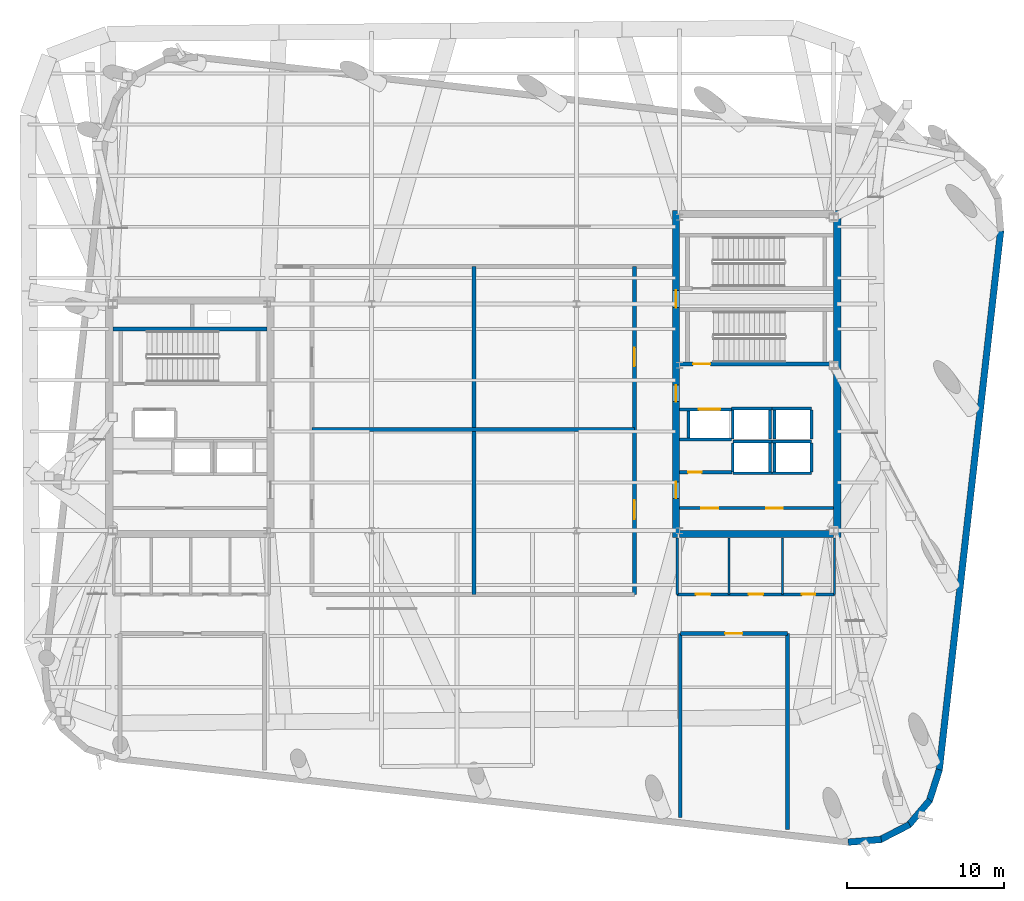
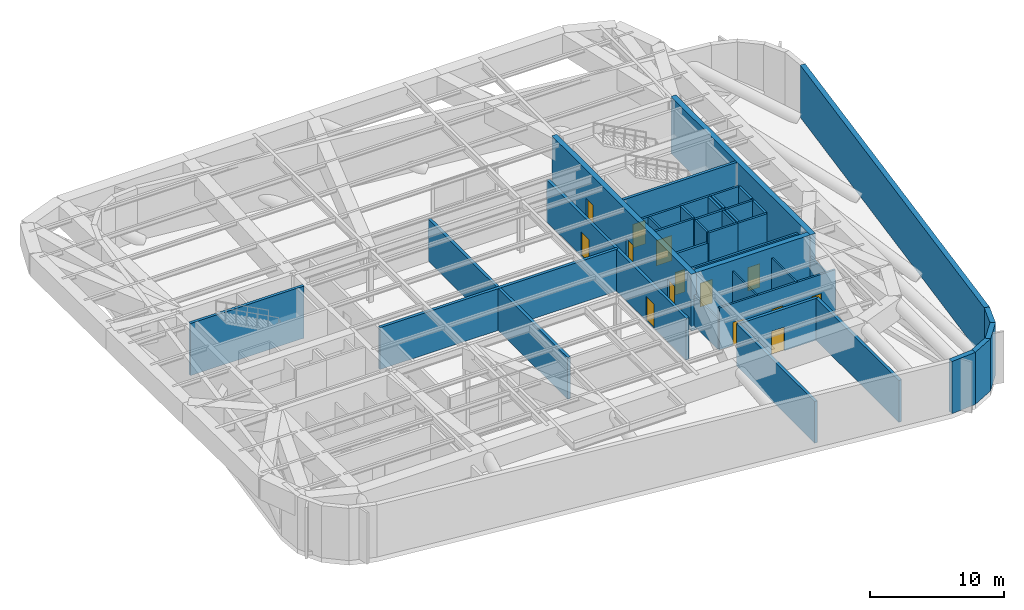
# One storey, part 8 of 12: 40 walls, 14 doors, 14 openings.
"""IFC4 building model written with IfcOpenShell, lengths in metres."""

from ifc_helpers import new_model, si_unit, direction, frame, frame_2d, origin, place, context, subcontext, project, spatial, rectangle, extrude, material, layer, layer_set, type_object, element, fill, save


model = new_model("IFC4")

# Units and contexts
model_context = context("Model", 3, precision=1e-05, world=origin(), true_north=direction((0.0, 1.0)))
body_context = subcontext(model_context, "Body", "Model", "MODEL_VIEW")
ifc_project = project(units=[si_unit("LENGTHUNIT", "METRE"), si_unit("AREAUNIT", "SQUARE_METRE"), si_unit("VOLUMEUNIT", "CUBIC_METRE"), si_unit("PLANEANGLEUNIT", "RADIAN"), si_unit("MASSUNIT", "GRAM", prefix="KILO")], contexts=[model_context])

# Site, building, storey
site_placement = place(None, origin())
site = spatial("IfcSite", under=ifc_project, at=site_placement, CompositionType="ELEMENT")
building_placement = place(site_placement, origin())
building = spatial("IfcBuilding", under=site, at=building_placement, Name="Kolvaren Arena Tower", CompositionType="ELEMENT")
storey_placement = place(building_placement, frame((0.0, 0.0, 269.699951171875)))
storey = spatial("IfcBuildingStorey", under=building, at=storey_placement, Name="L66", CompositionType="ELEMENT", Elevation=269.699951171875)

# Wall, openings, doors
ifc_material_1 = material(Name="Concrete 55 MPa", Category="concrete")
ifc_layer_1 = layer(ifc_material_1, 0.449951171875)
ifc_layer_set_1 = layer_set([ifc_layer_1], Name="Concrete 55 MPa")
wall_type_1 = type_object("IfcWallType", Name="CWALL-450", PredefinedType="SHEAR", material=ifc_layer_set_1)
wall_1_placement = place(storey_placement, frame((50.324951171875, 19.0, -0.419921875), z_axis=(0.0, 0.0, 1.0), x_axis=(0.0, 1.0, 0.0)))
wall_1 = element("IfcWall", 1, at=wall_1_placement, inside=storey, type_object=wall_type_1, Name="Core Shear Wall EC-WEST (L66)", PredefinedType="SHEAR", context=body_context, shape_type="SweptSolid", body=[
    extrude(rectangle(XDim=20.800048828125, YDim=0.449951171875, at=frame_2d((10.39990234375, 0.0))), origin(), (0.0, 0.0, 1.0), 5.169921875),
])
opening_1_placement = place(wall_1_placement, frame((2.5, 0.0, 0.419921875)))
opening_1 = element("IfcOpeningElement", 2, at=opening_1_placement, cuts=wall_1, Name="Opening D04", PredefinedType="OPENING", context=body_context, shape_type="SweptSolid", body=[
    extrude(rectangle(XDim=1.050048828125, YDim=2.14990234375, at=frame_2d((0.52490234375, 1.074951171875))), frame((0.0, 0.23486328125, 0.0), z_axis=(0.0, -1.0, 0.0), x_axis=(1.0, 0.0, 0.0)), (0.0, 0.0, 1.0), 0.469970703125),
])
opening_2_placement = place(wall_1_placement, frame((8.64990234375, 0.0, 0.419921875)))
opening_2 = element("IfcOpeningElement", 3, at=opening_2_placement, cuts=wall_1, Name="Opening D04", PredefinedType="OPENING", context=body_context, shape_type="SweptSolid", body=[
    extrude(rectangle(XDim=1.050048828125, YDim=2.14990234375, at=frame_2d((0.52490234375, 1.074951171875))), frame((0.0, 0.23486328125, 0.0), z_axis=(0.0, -1.0, 0.0), x_axis=(1.0, 0.0, 0.0)), (0.0, 0.0, 1.0), 0.469970703125),
])
opening_3_placement = place(wall_1_placement, frame((14.6201171875, 0.0, 0.419921875)))
opening_3 = element("IfcOpeningElement", 4, at=opening_3_placement, cuts=wall_1, Name="Opening D03", PredefinedType="OPENING", context=body_context, shape_type="SweptSolid", body=[
    extrude(rectangle(XDim=1.10009765625, YDim=2.14990234375, at=frame_2d((0.550048828125, 1.074951171875))), frame((0.0, 0.23486328125, 0.0), z_axis=(0.0, -1.0, 0.0), x_axis=(1.0, 0.0, 0.0)), (0.0, 0.0, 1.0), 0.469970703125),
])
ifc_material_2 = material(Name="Fire-rated steel lobby door", Category="steel")
door_type_1 = type_object("IfcDoorType", Name="DOOR-FF-105", OperationType="NOTDEFINED", PredefinedType="DOOR", material=ifc_material_2)
door_1_placement = place(opening_1_placement, origin())
door_1 = element("IfcDoor", 5, at=door_1_placement, inside=storey, type_object=door_type_1, Name="East Lift Lobby Fire Door (L66)", OperationType="SINGLE_SWING_RIGHT", OverallHeight=2.14990234375, OverallWidth=1.050048828125, PredefinedType="DOOR", context=body_context, shape_type="SweptSolid", body=[
    extrude(rectangle(XDim=1.050048828125, YDim=2.14990234375, at=frame_2d((0.52490234375, 1.074951171875))), frame((0.0, 0.02490234375, 0.0), z_axis=(0.0, -1.0, 0.0), x_axis=(1.0, 0.0, 0.0)), (0.0, 0.0, 1.0), 0.050048828125),
])
fill(opening_1, door_1)
door_2_placement = place(opening_2_placement, origin())
door_2 = element("IfcDoor", 6, at=door_2_placement, inside=storey, type_object=door_type_1, Name="East Firefighter Vestibule Door (L66)", OperationType="SINGLE_SWING_LEFT", OverallHeight=2.14990234375, OverallWidth=1.050048828125, PredefinedType="DOOR", context=body_context, shape_type="SweptSolid", body=[
    extrude(rectangle(XDim=1.050048828125, YDim=2.14990234375, at=frame_2d((0.52490234375, 1.074951171875))), frame((0.0, 0.02490234375, 0.0), z_axis=(0.0, -1.0, 0.0), x_axis=(1.0, 0.0, 0.0)), (0.0, 0.0, 1.0), 0.050048828125),
])
fill(opening_2, door_2)
ifc_material_3 = material(Name="Fire-rated steel exit stair door", Category="steel")
door_type_2 = type_object("IfcDoorType", Name="DOOR-ST-110", OperationType="NOTDEFINED", PredefinedType="DOOR", material=ifc_material_3)
door_3_placement = place(opening_3_placement, origin())
door_3 = element("IfcDoor", 7, at=door_3_placement, inside=storey, type_object=door_type_2, Name="Stair ST-E2 Vestibule Fire Door (L66)", OperationType="SINGLE_SWING_LEFT", OverallHeight=2.14990234375, OverallWidth=1.10009765625, PredefinedType="DOOR", context=body_context, shape_type="SweptSolid", body=[
    extrude(rectangle(XDim=1.10009765625, YDim=2.14990234375, at=frame_2d((0.550048828125, 1.074951171875))), frame((0.0, 0.02490234375, 0.0), z_axis=(0.0, -1.0, 0.0), x_axis=(1.0, 0.0, 0.0)), (0.0, 0.0, 1.0), 0.050048828125),
])
fill(opening_3, door_3)

# Walls
wall_2_placement = place(storey_placement, frame((60.574951171875, 19.0, -0.419921875), z_axis=(0.0, 0.0, 1.0), x_axis=(0.0, 1.0, 0.0)))
element("IfcWall", 8, at=wall_2_placement, inside=storey, type_object=wall_type_1, Name="Core Shear Wall EC-EAST (L66)", PredefinedType="SHEAR", context=body_context, shape_type="SweptSolid", body=[
    extrude(rectangle(XDim=20.800048828125, YDim=0.449951171875, at=frame_2d((10.39990234375, 0.0))), origin(), (0.0, 0.0, 1.0), 5.169921875),
])
wall_3_placement = place(storey_placement, frame((50.550048828125, 19.22509765625, -0.419921875), z_axis=(0.0, 0.0, 1.0), x_axis=(1.0, 0.0, 0.0)))
element("IfcWall", 9, at=wall_3_placement, inside=storey, type_object=wall_type_1, Name="Core Shear Wall EC-SOUTH (L66)", PredefinedType="SHEAR", context=body_context, shape_type="SweptSolid", body=[
    extrude(rectangle(XDim=9.800048828125, YDim=0.449951171875, at=frame_2d((4.89990234375, 0.0))), origin(), (0.0, 0.0, 1.0), 5.169921875),
])
ifc_material_4 = material(Name="Precast concrete C50/60", Category="concrete")
ifc_layer_2 = layer(ifc_material_4, 0.419921875)
ifc_layer_set_2 = layer_set([ifc_layer_2], Name="Precast concrete C50/60")
wall_type_2 = type_object("IfcWallType", Name="EXT-PIER1", PredefinedType="SOLIDWALL", material=ifc_layer_set_2)
wall_4_placement = place(storey_placement, frame((63.367919921875, -0.169677734375, 0.0), z_axis=(0.0, 0.0, 1.0), x_axis=(-0.996572077737, -0.082729038891, 0.0)))
element("IfcWall", 10, at=wall_4_placement, inside=storey, type_object=wall_type_2, Name="Exterior Precast Masonry-Frame Wall (L66)", PredefinedType="SOLIDWALL", context=body_context, shape_type="SweptSolid", body=[
    extrude(rectangle(XDim=2.107177734375, YDim=0.419921875, at=frame_2d((1.0537109375, 0.0))), origin(), (0.0, 0.0, 1.0), 4.75),
])
for number, where, z_axis, x_axis, name in (
    (11, (65.162109375, 0.7724609375, 0.0), (0.0, 0.0, 1.0), (-0.889033162007, -0.457842808015, 0.0), "Exterior Precast Masonry-Frame Wall (L66)"),
    (12, (66.45947265625, 2.32958984375, 0.0), (0.0, 0.0, 1.0), (-0.646103249464, -0.763250018691, 0.0), "Exterior Precast Masonry-Frame Wall (L66)"),
    (13, (67.06201171875, 4.2646484375, 0.0), (0.0, 0.0, 1.0), (-0.304767317723, -0.95242683816, 0.0), "Exterior Precast Masonry-Frame Wall (L66)"),
):
    element("IfcWall", number, at=place(storey_placement, frame(where, z_axis=z_axis, x_axis=x_axis)), inside=storey, type_object=wall_type_2, Name=name, PredefinedType="SOLIDWALL", context=body_context, shape_type="SweptSolid", body=[
        extrude(rectangle(XDim=2.10693359375, YDim=0.419921875, at=frame_2d((1.053466796875, 0.0))), origin(), (0.0, 0.0, 1.0), 4.75),
    ])
wall_5_placement = place(storey_placement, frame((70.958984375, 38.502685546875, 0.0), z_axis=(0.0, 0.0, 1.0), x_axis=(-0.113203107947, -0.993571867733, 0.0)))
element("IfcWall", 14, at=wall_5_placement, inside=storey, type_object=wall_type_2, Name="Exterior Precast Masonry-Frame Wall (L66)", PredefinedType="SOLIDWALL", context=body_context, shape_type="SweptSolid", body=[
    extrude(rectangle(XDim=34.5, YDim=0.419921875, at=frame_2d((17.25, 0.0))), origin(), (0.0, 0.0, 1.0), 4.75),
])

# Wall, openings, doors
ifc_material_5 = material(Name="Concrete 40 MPa", Category="concrete")
ifc_layer_3 = layer(ifc_material_5, 0.199951171875)
ifc_layer_set_3 = layer_set([ifc_layer_3], Name="Concrete 40 MPa")
wall_type_3 = type_object("IfcWallType", Name="LOBBY-200", PredefinedType="SOLIDWALL", material=ifc_layer_set_3)
wall_6_placement = place(storey_placement, frame((50.550048828125, 20.8798828125, 0.0), z_axis=(0.0, 0.0, 1.0), x_axis=(1.0, 0.0, 0.0)))
wall_6 = element("IfcWall", 15, at=wall_6_placement, inside=storey, type_object=wall_type_3, Name="Core Shaft Wall (L66)", PredefinedType="SOLIDWALL", context=body_context, shape_type="SweptSolid", body=[
    extrude(rectangle(XDim=9.800048828125, YDim=0.199951171875, at=frame_2d((4.89990234375, 0.0))), origin(), (0.0, 0.0, 1.0), 3.81005859375),
])
opening_4_placement = place(wall_6_placement, frame((1.39990234375, 0.0, 0.0)))
opening_4 = element("IfcOpeningElement", 16, at=opening_4_placement, cuts=wall_6, Name="Opening D04", PredefinedType="OPENING", context=body_context, shape_type="SweptSolid", body=[
    extrude(rectangle(XDim=1.050048828125, YDim=2.14990234375, at=frame_2d((0.52490234375, 1.074951171875))), frame((0.0, 0.10986328125, 0.0), z_axis=(0.0, -1.0, 0.0), x_axis=(1.0, 0.0, 0.0)), (0.0, 0.0, 1.0), 0.219970703125),
])
opening_5_placement = place(wall_6_placement, frame((5.5, 0.0, 0.0)))
opening_5 = element("IfcOpeningElement", 17, at=opening_5_placement, cuts=wall_6, Name="Opening D04", PredefinedType="OPENING", context=body_context, shape_type="SweptSolid", body=[
    extrude(rectangle(XDim=1.050048828125, YDim=2.14990234375, at=frame_2d((0.52490234375, 1.074951171875))), frame((0.0, 0.10986328125, 0.0), z_axis=(0.0, -1.0, 0.0), x_axis=(1.0, 0.0, 0.0)), (0.0, 0.0, 1.0), 0.219970703125),
])
door_4_placement = place(opening_4_placement, origin())
door_4 = element("IfcDoor", 18, at=door_4_placement, inside=storey, type_object=door_type_1, Name="East Telecom Room Fire Door (L66)", OperationType="SINGLE_SWING_RIGHT", OverallHeight=2.14990234375, OverallWidth=1.050048828125, PredefinedType="DOOR", context=body_context, shape_type="SweptSolid", body=[
    extrude(rectangle(XDim=1.050048828125, YDim=2.14990234375, at=frame_2d((0.52490234375, 1.074951171875))), frame((0.0, 0.02490234375, 0.0), z_axis=(0.0, -1.0, 0.0), x_axis=(1.0, 0.0, 0.0)), (0.0, 0.0, 1.0), 0.050048828125),
])
fill(opening_4, door_4)
door_5_placement = place(opening_5_placement, origin())
door_5 = element("IfcDoor", 19, at=door_5_placement, inside=storey, type_object=door_type_1, Name="East Records Room Fire Door (L66)", OperationType="SINGLE_SWING_LEFT", OverallHeight=2.14990234375, OverallWidth=1.050048828125, PredefinedType="DOOR", context=body_context, shape_type="SweptSolid", body=[
    extrude(rectangle(XDim=1.050048828125, YDim=2.14990234375, at=frame_2d((0.52490234375, 1.074951171875))), frame((0.0, 0.02490234375, 0.0), z_axis=(0.0, -1.0, 0.0), x_axis=(1.0, 0.0, 0.0)), (0.0, 0.0, 1.0), 0.050048828125),
])
fill(opening_5, door_5)

# Wall, opening, door
wall_7_placement = place(storey_placement, frame((50.550048828125, 23.159912109375, 0.0), z_axis=(0.0, 0.0, 1.0), x_axis=(1.0, 0.0, 0.0)))
wall_7 = element("IfcWall", 20, at=wall_7_placement, inside=storey, type_object=wall_type_3, Name="Core Shaft Wall (L66)", PredefinedType="SOLIDWALL", context=body_context, shape_type="SweptSolid", body=[
    extrude(rectangle(XDim=3.329833984375, YDim=0.199951171875, at=frame_2d((1.6650390625, 0.0))), origin(), (0.0, 0.0, 1.0), 3.81005859375),
])
opening_6_placement = place(wall_7_placement, frame((0.550048828125, 0.0, 0.0)))
opening_6 = element("IfcOpeningElement", 21, at=opening_6_placement, cuts=wall_7, Name="Opening D09", PredefinedType="OPENING", context=body_context, shape_type="SweptSolid", body=[
    extrude(rectangle(XDim=0.860107421875, YDim=2.050048828125, at=frame_2d((0.43017578125, 1.02490234375))), frame((0.0, 0.10986328125, 0.0), z_axis=(0.0, -1.0, 0.0), x_axis=(1.0, 0.0, 0.0)), (0.0, 0.0, 1.0), 0.219970703125),
])
ifc_material_6 = material(Name="Fire-rated steel riser access door", Category="steel")
door_type_3 = type_object("IfcDoorType", Name="DOOR-RS-086", OperationType="NOTDEFINED", PredefinedType="DOOR", material=ifc_material_6)
door_6_placement = place(opening_6_placement, origin())
door_6 = element("IfcDoor", 22, at=door_6_placement, inside=storey, type_object=door_type_3, Name="East AV Riser Closet Door (L66)", OperationType="SINGLE_SWING_LEFT", OverallHeight=2.050048828125, OverallWidth=0.860107421875, PredefinedType="DOOR", context=body_context, shape_type="SweptSolid", body=[
    extrude(rectangle(XDim=0.860107421875, YDim=2.050048828125, at=frame_2d((0.43017578125, 1.02490234375))), frame((0.0, 0.02490234375, 0.0), z_axis=(0.0, -1.0, 0.0), x_axis=(1.0, 0.0, 0.0)), (0.0, 0.0, 1.0), 0.050048828125),
])
fill(opening_6, door_6)

# Wall
ifc_material_7 = material(Name="Concrete 45 MPa", Category="concrete")
ifc_layer_4 = layer(ifc_material_7, 0.25)
ifc_layer_set_4 = layer_set([ifc_layer_4], Name="Concrete 45 MPa")
wall_type_4 = type_object("IfcWallType", Name="SHAFT-250", PredefinedType="SOLIDWALL", material=ifc_layer_set_4)
wall_8_placement = place(storey_placement, frame((14.550048828125, 32.25, 0.0), z_axis=(0.0, 0.0, 1.0), x_axis=(1.0, 0.0, 0.0)))
element("IfcWall", 23, at=wall_8_placement, inside=storey, type_object=wall_type_4, Name="Core Shaft Wall (L66)", PredefinedType="SOLIDWALL", context=body_context, shape_type="SweptSolid", body=[
    extrude(rectangle(XDim=9.800048828125, YDim=0.239990234375, at=frame_2d((4.89990234375, 0.0))), origin(), (0.0, 0.0, 1.0), 4.75),
])

# Wall, opening, door
wall_9_placement = place(storey_placement, frame((60.35009765625, 30.030029296875, 0.0), z_axis=(0.0, 0.0, 1.0), x_axis=(-1.0, 0.0, 0.0)))
wall_9 = element("IfcWall", 24, at=wall_9_placement, inside=storey, type_object=wall_type_4, Name="Core Shaft Wall (L66)", PredefinedType="SOLIDWALL", context=body_context, shape_type="SweptSolid", body=[
    extrude(rectangle(XDim=9.800048828125, YDim=0.239990234375, at=frame_2d((4.89990234375, 0.0))), origin(), (0.0, 0.0, 1.0), 4.75),
])
opening_7_placement = place(wall_9_placement, frame((7.830078125, 0.0, 0.0)))
opening_7 = element("IfcOpeningElement", 25, at=opening_7_placement, cuts=wall_9, Name="Opening D03", PredefinedType="OPENING", context=body_context, shape_type="SweptSolid", body=[
    extrude(rectangle(XDim=1.10009765625, YDim=2.14990234375, at=frame_2d((0.550048828125, 1.074951171875))), frame((0.0, 0.1298828125, 0.0), z_axis=(0.0, -1.0, 0.0), x_axis=(1.0, 0.0, 0.0)), (0.0, 0.0, 1.0), 0.260009765625),
])
door_7_placement = place(opening_7_placement, origin())
door_7 = element("IfcDoor", 26, at=door_7_placement, inside=storey, type_object=door_type_2, Name="Stair ST-E1 Fire Door (L66)", OperationType="SINGLE_SWING_LEFT", OverallHeight=2.14990234375, OverallWidth=1.10009765625, PredefinedType="DOOR", context=body_context, shape_type="SweptSolid", body=[
    extrude(rectangle(XDim=1.10009765625, YDim=2.14990234375, at=frame_2d((0.550048828125, 1.074951171875))), frame((0.0, 0.02490234375, 0.0), z_axis=(0.0, -1.0, 0.0), x_axis=(1.0, 0.0, 0.0)), (0.0, 0.0, 1.0), 0.050048828125),
])
fill(opening_7, door_7)

# Walls
for number, where, z_axis, x_axis, name in (
    (27, (53.93994140625, 25.10498046875, 0.0), (0.0, 0.0, 1.0), (1.0, 0.0, 0.0), "Core Shaft Wall (L66)"),
    (28, (53.93994140625, 23.094970703125, 0.0), (0.0, 0.0, 1.0), (1.0, 0.0, 0.0), "Core Shaft Wall (L66)"),
):
    element("IfcWall", number, at=place(storey_placement, frame(where, z_axis=z_axis, x_axis=x_axis)), inside=storey, type_object=wall_type_4, Name=name, PredefinedType="SOLIDWALL", context=body_context, shape_type="SweptSolid", body=[
        extrude(rectangle(XDim=2.5, YDim=0.179931640625, at=frame_2d((1.25, 0.0))), origin(), (0.0, 0.0, 1.0), 4.75),
    ])
for number, where, z_axis, x_axis, name in (
    (29, (53.93994140625, 23.18505859375, 0.0), (0.0, 0.0, 1.0), (0.0, 1.0, 0.0), "Core Shaft Wall (L66)"),
    (30, (56.300048828125, 23.18505859375, 0.0), (0.0, 0.0, 1.0), (0.0, 1.0, 0.0), "Core Shaft Wall (L66)"),
):
    element("IfcWall", number, at=place(storey_placement, frame(where, z_axis=z_axis, x_axis=x_axis)), inside=storey, type_object=wall_type_4, Name=name, PredefinedType="SOLIDWALL", context=body_context, shape_type="SweptSolid", body=[
        extrude(rectangle(XDim=1.829833984375, YDim=0.179931640625, at=frame_2d((0.9150390625, 0.0))), origin(), (0.0, 0.0, 1.0), 4.75),
    ])
for number, where, z_axis, x_axis, name in (
    (31, (56.43994140625, 25.10498046875, 0.0), (0.0, 0.0, 1.0), (1.0, 0.0, 0.0), "Core Shaft Wall (L66)"),
    (32, (56.43994140625, 23.094970703125, 0.0), (0.0, 0.0, 1.0), (1.0, 0.0, 0.0), "Core Shaft Wall (L66)"),
):
    element("IfcWall", number, at=place(storey_placement, frame(where, z_axis=z_axis, x_axis=x_axis)), inside=storey, type_object=wall_type_4, Name=name, PredefinedType="SOLIDWALL", context=body_context, shape_type="SweptSolid", body=[
        extrude(rectangle(XDim=2.5, YDim=0.179931640625, at=frame_2d((1.25, 0.0))), origin(), (0.0, 0.0, 1.0), 4.75),
    ])
for number, where, z_axis, x_axis, name in (
    (33, (56.580078125, 23.18505859375, 0.0), (0.0, 0.0, 1.0), (0.0, 1.0, 0.0), "Core Shaft Wall (L66)"),
    (34, (58.93994140625, 23.18505859375, 0.0), (0.0, 0.0, 1.0), (0.0, 1.0, 0.0), "Core Shaft Wall (L66)"),
):
    element("IfcWall", number, at=place(storey_placement, frame(where, z_axis=z_axis, x_axis=x_axis)), inside=storey, type_object=wall_type_4, Name=name, PredefinedType="SOLIDWALL", context=body_context, shape_type="SweptSolid", body=[
        extrude(rectangle(XDim=1.829833984375, YDim=0.179931640625, at=frame_2d((0.9150390625, 0.0))), origin(), (0.0, 0.0, 1.0), 4.75),
    ])
wall_10_placement = place(storey_placement, frame((53.864990234375, 27.205078125, 0.0), z_axis=(0.0, 0.0, 1.0), x_axis=(1.0, 0.0, 0.0)))
element("IfcWall", 35, at=wall_10_placement, inside=storey, type_object=wall_type_4, Name="Core Shaft Wall (L66)", PredefinedType="SOLIDWALL", context=body_context, shape_type="SweptSolid", body=[
    extrude(rectangle(XDim=2.574951171875, YDim=0.179931640625, at=frame_2d((1.28759765625, 0.0))), origin(), (0.0, 0.0, 1.0), 4.75),
])
for number, where, z_axis, x_axis, name in (
    (36, (53.93994140625, 25.284912109375, 0.0), (0.0, 0.0, 1.0), (0.0, 1.0, 0.0), "Core Shaft Wall (L66)"),
    (37, (56.300048828125, 25.284912109375, 0.0), (0.0, 0.0, 1.0), (0.0, 1.0, 0.0), "Core Shaft Wall (L66)"),
):
    element("IfcWall", number, at=place(storey_placement, frame(where, z_axis=z_axis, x_axis=x_axis)), inside=storey, type_object=wall_type_4, Name=name, PredefinedType="SOLIDWALL", context=body_context, shape_type="SweptSolid", body=[
        extrude(rectangle(XDim=1.830078125, YDim=0.179931640625, at=frame_2d((0.9150390625, 0.0))), origin(), (0.0, 0.0, 1.0), 4.75),
    ])
wall_11_placement = place(storey_placement, frame((56.43994140625, 27.205078125, 0.0), z_axis=(0.0, 0.0, 1.0), x_axis=(1.0, 0.0, 0.0)))
element("IfcWall", 38, at=wall_11_placement, inside=storey, type_object=wall_type_4, Name="Core Shaft Wall (L66)", PredefinedType="SOLIDWALL", context=body_context, shape_type="SweptSolid", body=[
    extrude(rectangle(XDim=2.5, YDim=0.179931640625, at=frame_2d((1.25, 0.0))), origin(), (0.0, 0.0, 1.0), 4.75),
])
for number, where, z_axis, x_axis, name in (
    (39, (56.580078125, 25.284912109375, 0.0), (0.0, 0.0, 1.0), (0.0, 1.0, 0.0), "Core Shaft Wall (L66)"),
    (40, (58.93994140625, 25.284912109375, 0.0), (0.0, 0.0, 1.0), (0.0, 1.0, 0.0), "Core Shaft Wall (L66)"),
):
    element("IfcWall", number, at=place(storey_placement, frame(where, z_axis=z_axis, x_axis=x_axis)), inside=storey, type_object=wall_type_4, Name=name, PredefinedType="SOLIDWALL", context=body_context, shape_type="SweptSolid", body=[
        extrude(rectangle(XDim=1.830078125, YDim=0.179931640625, at=frame_2d((0.9150390625, 0.0))), origin(), (0.0, 0.0, 1.0), 4.75),
    ])

# Wall, opening, door
wall_12_placement = place(storey_placement, frame((50.550048828125, 27.155029296875, 0.0), z_axis=(0.0, 0.0, 1.0), x_axis=(1.0, 0.0, 0.0)))
wall_12 = element("IfcWall", 41, at=wall_12_placement, inside=storey, type_object=wall_type_4, Name="Core Shaft Wall (L66)", PredefinedType="SOLIDWALL", context=body_context, shape_type="SweptSolid", body=[
    extrude(rectangle(XDim=3.31494140625, YDim=0.179931640625, at=frame_2d((1.657470703125, 0.0))), origin(), (0.0, 0.0, 1.0), 4.75),
])
opening_8_placement = place(wall_12_placement, frame((1.235107421875, 0.0, 0.0)))
opening_8 = element("IfcOpeningElement", 42, at=opening_8_placement, cuts=wall_12, Name="Opening LD2", PredefinedType="OPENING", context=body_context, shape_type="SweptSolid", body=[
    extrude(rectangle(XDim=1.35009765625, YDim=2.300048828125, at=frame_2d((0.675048828125, 1.14990234375))), frame((0.0, 0.099853515625, 0.0), z_axis=(0.0, -1.0, 0.0), x_axis=(1.0, 0.0, 0.0)), (0.0, 0.0, 1.0), 0.199951171875),
])
ifc_material_8 = material(Name="Stainless steel firefighter lift landing door", Category="steel")
door_type_4 = type_object("IfcDoorType", Name="DOOR-LD-135", OperationType="DOUBLE_DOOR_SLIDING", PredefinedType="DOOR", material=ifc_material_8)
door_8_placement = place(opening_8_placement, origin())
door_8 = element("IfcDoor", 43, at=door_8_placement, inside=storey, type_object=door_type_4, Name="Firefighter Lift FF-E1 Landing Door (L66)", OperationType="DOUBLE_DOOR_SLIDING", OverallHeight=2.300048828125, OverallWidth=1.35009765625, PredefinedType="DOOR", context=body_context, shape_type="SweptSolid", body=[
    extrude(rectangle(XDim=1.35009765625, YDim=2.300048828125, at=frame_2d((0.675048828125, 1.14990234375))), frame((0.0, 0.02490234375, 0.0), z_axis=(0.0, -1.0, 0.0), x_axis=(1.0, 0.0, 0.0)), (0.0, 0.0, 1.0), 0.050048828125),
])
fill(opening_8, door_8)

# Walls
wall_13_placement = place(storey_placement, frame((50.550048828125, 25.2451171875, 0.0), z_axis=(0.0, 0.0, 1.0), x_axis=(1.0, 0.0, 0.0)))
element("IfcWall", 44, at=wall_13_placement, inside=storey, type_object=wall_type_4, Name="Core Shaft Wall (L66)", PredefinedType="SOLIDWALL", context=body_context, shape_type="SweptSolid", body=[
    extrude(rectangle(XDim=3.31494140625, YDim=0.179931640625, at=frame_2d((1.657470703125, 0.0))), origin(), (0.0, 0.0, 1.0), 4.75),
])
wall_14_placement = place(storey_placement, frame((51.1298828125, 25.3349609375, 0.0), z_axis=(0.0, 0.0, 1.0), x_axis=(0.0, 1.0, 0.0)))
element("IfcWall", 45, at=wall_14_placement, inside=storey, type_object=wall_type_4, Name="Core Shaft Wall (L66)", PredefinedType="SOLIDWALL", context=body_context, shape_type="SweptSolid", body=[
    extrude(rectangle(XDim=1.72998046875, YDim=0.179931640625, at=frame_2d((0.864990234375, 0.0))), origin(), (0.0, 0.0, 1.0), 4.75),
])

# Wall, openings, doors
wall_15_placement = place(storey_placement, frame((50.39990234375, 15.39990234375, 0.0), z_axis=(0.0, 0.0, 1.0), x_axis=(1.0, 0.0, 0.0)))
wall_15 = element("IfcWall", 46, at=wall_15_placement, inside=storey, type_object=wall_type_4, Name="Interior Partition Wall (L66)", PredefinedType="SOLIDWALL", context=body_context, shape_type="SweptSolid", body=[
    extrude(rectangle(XDim=10.0, YDim=0.179931640625, at=frame_2d((5.0, 0.0))), origin(), (0.0, 0.0, 1.0), 3.81005859375),
])
opening_9_placement = place(wall_15_placement, frame((1.18994140625, 0.0, 0.0)))
opening_9 = element("IfcOpeningElement", 47, at=opening_9_placement, cuts=wall_15, Name="Opening D07", PredefinedType="OPENING", context=body_context, shape_type="SweptSolid", body=[
    extrude(rectangle(XDim=0.919921875, YDim=2.10009765625, at=frame_2d((0.4599609375, 1.050048828125))), frame((0.0, 0.099853515625, 0.0), z_axis=(0.0, -1.0, 0.0), x_axis=(1.0, 0.0, 0.0)), (0.0, 0.0, 1.0), 0.199951171875),
])
opening_10_placement = place(wall_15_placement, frame((4.5400390625, 0.0, 0.0)))
opening_10 = element("IfcOpeningElement", 48, at=opening_10_placement, cuts=wall_15, Name="Opening D07", PredefinedType="OPENING", context=body_context, shape_type="SweptSolid", body=[
    extrude(rectangle(XDim=0.919921875, YDim=2.10009765625, at=frame_2d((0.4599609375, 1.050048828125))), frame((0.0, 0.099853515625, 0.0), z_axis=(0.0, -1.0, 0.0), x_axis=(1.0, 0.0, 0.0)), (0.0, 0.0, 1.0), 0.199951171875),
])
opening_11_placement = place(wall_15_placement, frame((7.919921875, 0.0, 0.0)))
opening_11 = element("IfcOpeningElement", 49, at=opening_11_placement, cuts=wall_15, Name="Opening D09", PredefinedType="OPENING", context=body_context, shape_type="SweptSolid", body=[
    extrude(rectangle(XDim=0.860107421875, YDim=2.050048828125, at=frame_2d((0.43017578125, 1.02490234375))), frame((0.0, 0.099853515625, 0.0), z_axis=(0.0, -1.0, 0.0), x_axis=(1.0, 0.0, 0.0)), (0.0, 0.0, 1.0), 0.199951171875),
])
door_9_placement = place(opening_11_placement, origin())
door_9 = element("IfcDoor", 50, at=door_9_placement, inside=storey, type_object=door_type_3, Name="Mechanical Riser Closet Door (L66)", OperationType="SINGLE_SWING_RIGHT", OverallHeight=2.050048828125, OverallWidth=0.860107421875, PredefinedType="DOOR", context=body_context, shape_type="SweptSolid", body=[
    extrude(rectangle(XDim=0.860107421875, YDim=2.050048828125, at=frame_2d((0.43017578125, 1.02490234375))), frame((0.0, 0.02490234375, 0.0), z_axis=(0.0, -1.0, 0.0), x_axis=(1.0, 0.0, 0.0)), (0.0, 0.0, 1.0), 0.050048828125),
])
fill(opening_11, door_9)
ifc_material_9 = material(Name="Laminate universal washroom door", Category="wood")
door_type_5 = type_object("IfcDoorType", Name="DOOR-WC-092", OperationType="NOTDEFINED", PredefinedType="DOOR", material=ifc_material_9)
door_10_placement = place(opening_9_placement, origin())
door_10 = element("IfcDoor", 51, at=door_10_placement, inside=storey, type_object=door_type_5, Name="Staff Pantry Door (L66)", OperationType="SINGLE_SWING_RIGHT", OverallHeight=2.10009765625, OverallWidth=0.919921875, PredefinedType="DOOR", context=body_context, shape_type="SweptSolid", body=[
    extrude(rectangle(XDim=0.919921875, YDim=2.10009765625, at=frame_2d((0.4599609375, 1.050048828125))), frame((0.0, 0.02490234375, 0.0), z_axis=(0.0, -1.0, 0.0), x_axis=(1.0, 0.0, 0.0)), (0.0, 0.0, 1.0), 0.050048828125),
])
fill(opening_9, door_10)
door_11_placement = place(opening_10_placement, origin())
door_11 = element("IfcDoor", 52, at=door_11_placement, inside=storey, type_object=door_type_5, Name="Gender-Neutral Washroom Door (L66)", OperationType="SINGLE_SWING_LEFT", OverallHeight=2.10009765625, OverallWidth=0.919921875, PredefinedType="DOOR", context=body_context, shape_type="SweptSolid", body=[
    extrude(rectangle(XDim=0.919921875, YDim=2.10009765625, at=frame_2d((0.4599609375, 1.050048828125))), frame((0.0, 0.02490234375, 0.0), z_axis=(0.0, -1.0, 0.0), x_axis=(1.0, 0.0, 0.0)), (0.0, 0.0, 1.0), 0.050048828125),
])
fill(opening_10, door_11)

# Walls
wall_16_placement = place(storey_placement, frame((37.5, 15.3798828125, 0.0), z_axis=(0.0, 0.0, 1.0), x_axis=(0.0, 1.0, 0.0)))
element("IfcWall", 53, at=wall_16_placement, inside=storey, type_object=wall_type_4, Name="Interior Partition Wall (L66)", PredefinedType="SOLIDWALL", context=body_context, shape_type="SweptSolid", body=[
    extrude(rectangle(XDim=20.840087890625, YDim=0.25, at=frame_2d((10.419921875, 0.0))), origin(), (0.0, 0.0, 1.0), 3.81005859375),
])
wall_17_placement = place(storey_placement, frame((27.199951171875, 25.8798828125, 0.0), z_axis=(0.0, 0.0, 1.0), x_axis=(1.0, 0.0, 0.0)))
element("IfcWall", 54, at=wall_17_placement, inside=storey, type_object=wall_type_4, Name="Interior Partition Wall (L66)", PredefinedType="SOLIDWALL", context=body_context, shape_type="SweptSolid", body=[
    extrude(rectangle(XDim=20.5, YDim=0.25, at=frame_2d((10.25, 0.0))), origin(), (0.0, 0.0, 1.0), 3.81005859375),
])

# Wall, openings, doors
wall_18_placement = place(storey_placement, frame((47.699951171875, 15.3798828125, 0.0), z_axis=(0.0, 0.0, 1.0), x_axis=(0.0, 1.0, 0.0)))
wall_18 = element("IfcWall", 55, at=wall_18_placement, inside=storey, type_object=wall_type_4, Name="Interior Partition Wall (L66)", PredefinedType="SOLIDWALL", context=body_context, shape_type="SweptSolid", body=[
    extrude(rectangle(XDim=20.840087890625, YDim=0.25, at=frame_2d((10.419921875, 0.0))), origin(), (0.0, 0.0, 1.0), 3.81005859375),
])
opening_12_placement = place(wall_18_placement, frame((4.800048828125, 0.0, 0.0)))
opening_12 = element("IfcOpeningElement", 56, at=opening_12_placement, cuts=wall_18, Name="Opening D08", PredefinedType="OPENING", context=body_context, shape_type="SweptSolid", body=[
    extrude(rectangle(XDim=1.199951171875, YDim=2.199951171875, at=frame_2d((0.60009765625, 1.10009765625))), frame((0.0, 0.135009765625, 0.0), z_axis=(0.0, -1.0, 0.0), x_axis=(1.0, 0.0, 0.0)), (0.0, 0.0, 1.0), 0.27001953125),
])
opening_13_placement = place(wall_18_placement, frame((14.5, 0.0, 0.0)))
opening_13 = element("IfcOpeningElement", 57, at=opening_13_placement, cuts=wall_18, Name="Opening D08", PredefinedType="OPENING", context=body_context, shape_type="SweptSolid", body=[
    extrude(rectangle(XDim=1.199951171875, YDim=2.199951171875, at=frame_2d((0.60009765625, 1.10009765625))), frame((0.0, 0.135009765625, 0.0), z_axis=(0.0, -1.0, 0.0), x_axis=(1.0, 0.0, 0.0)), (0.0, 0.0, 1.0), 0.27001953125),
])
ifc_material_10 = material(Name="Fire-rated steel plant room door", Category="steel")
door_type_6 = type_object("IfcDoorType", Name="DOOR-PL-120", OperationType="NOTDEFINED", PredefinedType="DOOR", material=ifc_material_10)
door_12_placement = place(opening_12_placement, origin())
door_12 = element("IfcDoor", 58, at=door_12_placement, inside=storey, type_object=door_type_6, Name="Chiller Plant Door (L66)", OperationType="SINGLE_SWING_RIGHT", OverallHeight=2.199951171875, OverallWidth=1.199951171875, PredefinedType="DOOR", context=body_context, shape_type="SweptSolid", body=[
    extrude(rectangle(XDim=1.199951171875, YDim=2.199951171875, at=frame_2d((0.60009765625, 1.10009765625))), frame((0.0, 0.02490234375, 0.0), z_axis=(0.0, -1.0, 0.0), x_axis=(1.0, 0.0, 0.0)), (0.0, 0.0, 1.0), 0.050048828125),
])
fill(opening_12, door_12)
door_13_placement = place(opening_13_placement, origin())
door_13 = element("IfcDoor", 59, at=door_13_placement, inside=storey, type_object=door_type_6, Name="Switchgear Room Door (L66)", OperationType="SINGLE_SWING_LEFT", OverallHeight=2.199951171875, OverallWidth=1.199951171875, PredefinedType="DOOR", context=body_context, shape_type="SweptSolid", body=[
    extrude(rectangle(XDim=1.199951171875, YDim=2.199951171875, at=frame_2d((0.60009765625, 1.10009765625))), frame((0.0, 0.02490234375, 0.0), z_axis=(0.0, -1.0, 0.0), x_axis=(1.0, 0.0, 0.0)), (0.0, 0.0, 1.0), 0.050048828125),
])
fill(opening_13, door_13)

# Wall, opening, door
wall_19_placement = place(storey_placement, frame((50.60009765625, 12.919921875, 0.0), z_axis=(0.0, 0.0, 1.0), x_axis=(1.0, 0.0, 0.0)))
wall_19 = element("IfcWall", 60, at=wall_19_placement, inside=storey, type_object=wall_type_4, Name="Interior Partition Wall (L66)", PredefinedType="SOLIDWALL", context=body_context, shape_type="SweptSolid", body=[
    extrude(rectangle(XDim=6.7998046875, YDim=0.25, at=frame_2d((3.39990234375, 0.0))), origin(), (0.0, 0.0, 1.0), 3.81005859375),
])
opening_14_placement = place(wall_19_placement, frame((2.85009765625, 0.0, 0.0)))
opening_14 = element("IfcOpeningElement", 61, at=opening_14_placement, cuts=wall_19, Name="Opening D03", PredefinedType="OPENING", context=body_context, shape_type="SweptSolid", body=[
    extrude(rectangle(XDim=1.10009765625, YDim=2.14990234375, at=frame_2d((0.550048828125, 1.074951171875))), frame((0.0, 0.135009765625, 0.0), z_axis=(0.0, -1.0, 0.0), x_axis=(1.0, 0.0, 0.0)), (0.0, 0.0, 1.0), 0.27001953125),
])
door_14_placement = place(opening_14_placement, origin())
door_14 = element("IfcDoor", 62, at=door_14_placement, inside=storey, type_object=door_type_2, Name="East Area of Refuge Door (L66)", OperationType="SINGLE_SWING_LEFT", OverallHeight=2.14990234375, OverallWidth=1.10009765625, PredefinedType="DOOR", context=body_context, shape_type="SweptSolid", body=[
    extrude(rectangle(XDim=1.10009765625, YDim=2.14990234375, at=frame_2d((0.550048828125, 1.074951171875))), frame((0.0, 0.02490234375, 0.0), z_axis=(0.0, -1.0, 0.0), x_axis=(1.0, 0.0, 0.0)), (0.0, 0.0, 1.0), 0.050048828125),
])
fill(opening_14, door_14)

# Walls
wall_20_placement = place(storey_placement, frame((50.60009765625, 1.227783203125, 0.0), z_axis=(0.0, 0.0, 1.0), x_axis=(0.0, 1.0, 0.0)))
element("IfcWall", 63, at=wall_20_placement, inside=storey, type_object=wall_type_4, Name="Interior Partition Wall (L66)", PredefinedType="SOLIDWALL", context=body_context, shape_type="SweptSolid", body=[
    extrude(rectangle(XDim=11.692138671875, YDim=0.25, at=frame_2d((5.84619140625, 0.0))), origin(), (0.0, 0.0, 1.0), 3.81005859375),
])
wall_21_placement = place(storey_placement, frame((57.39990234375, 0.452880859375, 0.0), z_axis=(0.0, 0.0, 1.0), x_axis=(0.0, 1.0, 0.0)))
element("IfcWall", 64, at=wall_21_placement, inside=storey, type_object=wall_type_4, Name="Interior Partition Wall (L66)", PredefinedType="SOLIDWALL", context=body_context, shape_type="SweptSolid", body=[
    extrude(rectangle(XDim=12.467041015625, YDim=0.25, at=frame_2d((6.2333984375, 0.0))), origin(), (0.0, 0.0, 1.0), 3.81005859375),
])
ifc_material_11 = material(Name="Moisture-resistant gypsum assembly", Category="gypsum")
ifc_layer_5 = layer(ifc_material_11, 0.14990234375)
ifc_layer_set_5 = layer_set([ifc_layer_5], Name="Moisture-resistant gypsum assembly")
wall_type_5 = type_object("IfcWallType", Name="WETW-150", PredefinedType="PARTITIONING", material=ifc_layer_set_5)
for number, where, z_axis, x_axis, name in (
    (65, (53.699951171875, 15.39990234375, 0.0), (0.0, 0.0, 1.0), (0.0, 1.0, 0.0), "Interior Partition Wall (L66)"),
    (66, (57.10009765625, 15.39990234375, 0.0), (0.0, 0.0, 1.0), (0.0, 1.0, 0.0), "Interior Partition Wall (L66)"),
):
    element("IfcWall", number, at=place(storey_placement, frame(where, z_axis=z_axis, x_axis=x_axis)), inside=storey, type_object=wall_type_5, Name=name, PredefinedType="PARTITIONING", context=body_context, shape_type="SweptSolid", body=[
        extrude(rectangle(XDim=3.580078125, YDim=0.14990234375, at=frame_2d((1.7900390625, 0.0))), origin(), (0.0, 0.0, 1.0), 3.81005859375),
    ])
for number, where, z_axis, x_axis, name in (
    (67, (50.39990234375, 15.39990234375, 0.0), (0.0, 0.0, 1.0), (0.0, 1.0, 0.0), "Interior Partition Wall (L66)"),
    (68, (60.39990234375, 15.39990234375, 0.0), (0.0, 0.0, 1.0), (0.0, 1.0, 0.0), "Interior Partition Wall (L66)"),
):
    element("IfcWall", number, at=place(storey_placement, frame(where, z_axis=z_axis, x_axis=x_axis)), inside=storey, type_object=wall_type_5, Name=name, PredefinedType="PARTITIONING", context=body_context, shape_type="SweptSolid", body=[
        extrude(rectangle(XDim=3.580078125, YDim=0.14990234375, at=frame_2d((1.7900390625, 0.0))), origin(), (0.0, 0.0, 1.0), 2.800048828125),
    ])

save(model, "model.ifc")
